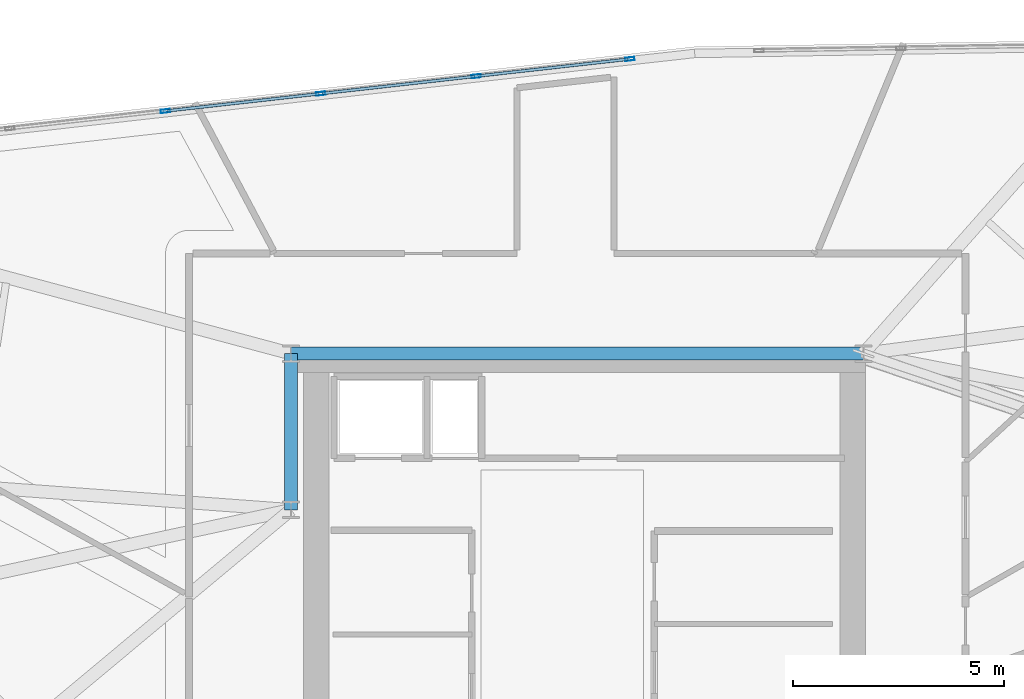
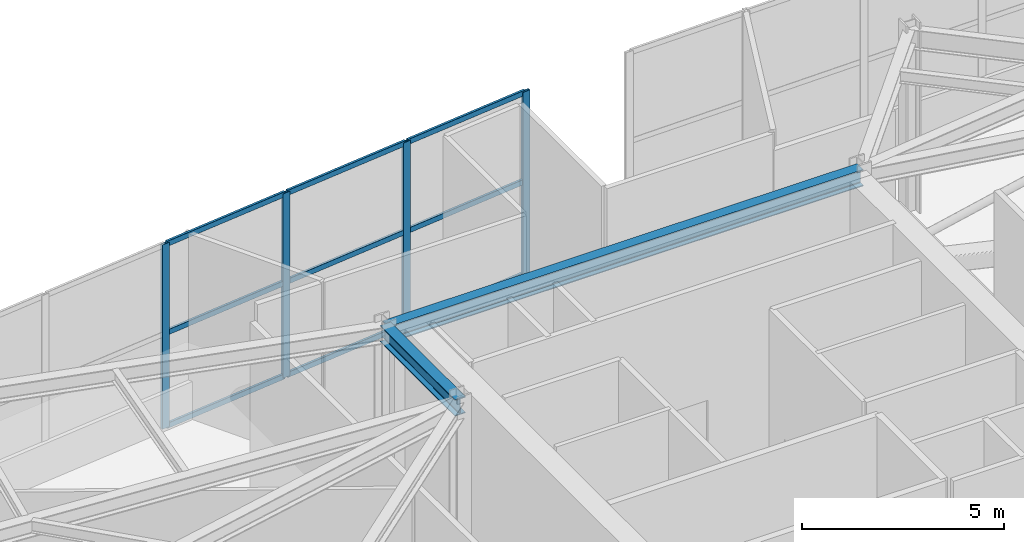
# One storey, part 3 of 15: 13 members, 2 beams, 1 element without a shape of its own.
"""IFC4 building model written with IfcOpenShell, lengths in metres."""

from ifc_helpers import new_model, si_unit, direction, frame, origin, origin_2d, place, context, subcontext, project, spatial, hollow_rectangle, i_section, extrude, material, material_profile, profile_set, type_object, element, aggregate, save


model = new_model("IFC4")

# Units and contexts
model_context = context("Model", 3, precision=1e-05, world=origin(), true_north=direction((0.0, 1.0)))
body_context = subcontext(model_context, "Body", "Model", "MODEL_VIEW")
ifc_project = project(units=[si_unit("LENGTHUNIT", "METRE"), si_unit("AREAUNIT", "SQUARE_METRE"), si_unit("VOLUMEUNIT", "CUBIC_METRE"), si_unit("PLANEANGLEUNIT", "RADIAN"), si_unit("MASSUNIT", "GRAM", prefix="KILO")], contexts=[model_context])

# Site, building, storey
site_placement = place(None, origin())
site = spatial("IfcSite", under=ifc_project, at=site_placement, CompositionType="ELEMENT")
building_placement = place(site_placement, origin())
building = spatial("IfcBuilding", under=site, at=building_placement, Name="Narakoshi Arena Tower", CompositionType="ELEMENT")
storey_placement = place(building_placement, frame((0.0, 0.0, 292.419921875)))
storey = spatial("IfcBuildingStorey", under=building, at=storey_placement, Name="L80", CompositionType="ELEMENT", Elevation=292.419921875)

# Beams
ifc_material_1 = material(Name="Structural steel S355J2", Category="steel")
ifc_material_profile_1 = material_profile(ifc_material_1, i_section(OverallWidth=0.300048828125, OverallDepth=0.5, WebThickness=0.014404296875, FlangeThickness=0.028076171875, FilletRadius=0.027099609375, at=origin_2d()), Name="HE500B")
ifc_profile_set_1 = profile_set([ifc_material_profile_1], Name="Structural steel S355J2")
beam_type = type_object("IfcBeamType", Name="BM-PRI-500", PredefinedType="BEAM", material=ifc_profile_set_1)
beam_1_placement = place(storey_placement, frame((72.0, 52.800048828125, 5.31005859375), z_axis=(0.0, 1.0, 0.0), x_axis=(-1.0, 0.0, 0.0)))
element("IfcBeam", 1, at=beam_1_placement, inside=storey, type_object=beam_type, Name="L80 Core Perimeter Frame Beam CC4-CC5", PredefinedType="BEAM", context=body_context, shape_type="SweptSolid", body=[
    extrude(i_section(OverallWidth=0.300048828125, OverallDepth=0.5, WebThickness=0.014404296875, FlangeThickness=0.028076171875, FilletRadius=0.027099609375, at=origin_2d()), origin(), (0.0, 0.0, 1.0), 3.699951171875),
])
beam_2_placement = place(storey_placement, frame((72.0, 56.5, 5.31005859375), z_axis=(1.0, 0.0, 0.0), x_axis=(0.0, 1.0, 0.0)))
element("IfcBeam", 2, at=beam_2_placement, inside=storey, type_object=beam_type, Name="L80 Core Perimeter Frame Beam CC5-CC6", PredefinedType="BEAM", context=body_context, shape_type="SweptSolid", body=[
    extrude(i_section(OverallWidth=0.300048828125, OverallDepth=0.5, WebThickness=0.014404296875, FlangeThickness=0.028076171875, FilletRadius=0.027099609375, at=origin_2d()), origin(), (0.0, 0.0, 1.0), 13.550048828125),
])

# Curtain wall, members
ifc_material_2 = material(Name="Clear low-iron laminated structural glass", Category="glass")
curtain_wall_type = type_object("IfcCurtainWallType", Name="CW-OBS-TMD", PredefinedType="NOTDEFINED", material=ifc_material_2)
curtain_wall_placement = place(storey_placement, origin())
curtain_wall = element("IfcCurtainWall", 3, at=curtain_wall_placement, inside=storey, type_object=curtain_wall_type, Name="L80 Folded Hypotenuse Curtain Wall 2-1", PredefinedType="NOTDEFINED")
ifc_material_3 = material(Name="Anodised bronze aluminium 6063-T6", Category="aluminium")
ifc_material_profile_2 = material_profile(ifc_material_3, hollow_rectangle(XDim=0.080078125, YDim=0.219970703125, WallThickness=0.0048828125, OuterFilletRadius=0.006103515625, at=origin_2d()), Name="MUL220x80x5")
ifc_profile_set_2 = profile_set([ifc_material_profile_2], Name="Anodised bronze aluminium 6063-T6")
member_type_1 = type_object("IfcMemberType", Name="MEM-MUL-220", PredefinedType="MULLION", material=ifc_profile_set_2)
member_1_placement = place(storey_placement, frame((80.021728515625, 63.471923828125, 0.0), z_axis=(0.0, 0.0, 1.0), x_axis=(0.111396800294, -0.9937760074, 0.0)))
member_1 = element("IfcMember", 4, at=member_1_placement, type_object=member_type_1, Name="CW-05 mullion 1", PredefinedType="MULLION", context=body_context, shape_type="SweptSolid", body=[
    extrude(hollow_rectangle(XDim=0.080078125, YDim=0.219970703125, WallThickness=0.0048828125, OuterFilletRadius=0.006103515625, at=origin_2d()), origin(), (0.0, 0.0, 1.0), 5.56005859375),
])
member_2_placement = place(storey_placement, frame((76.383544921875, 63.064208984375, 0.0), z_axis=(0.0, 0.0, 1.0), x_axis=(0.111396800294, -0.9937760074, 0.0)))
member_2 = element("IfcMember", 5, at=member_2_placement, type_object=member_type_1, Name="CW-05 mullion 2", PredefinedType="MULLION", context=body_context, shape_type="SweptSolid", body=[
    extrude(hollow_rectangle(XDim=0.080078125, YDim=0.219970703125, WallThickness=0.0048828125, OuterFilletRadius=0.006103515625, at=origin_2d()), origin(), (0.0, 0.0, 1.0), 5.56005859375),
])
member_3_placement = place(storey_placement, frame((72.705810546875, 62.65185546875, 0.0), z_axis=(0.0, 0.0, 1.0), x_axis=(0.111396800294, -0.9937760074, 0.0)))
member_3 = element("IfcMember", 6, at=member_3_placement, type_object=member_type_1, Name="CW-05 mullion 3", PredefinedType="MULLION", context=body_context, shape_type="SweptSolid", body=[
    extrude(hollow_rectangle(XDim=0.080078125, YDim=0.219970703125, WallThickness=0.0048828125, OuterFilletRadius=0.006103515625, at=origin_2d()), origin(), (0.0, 0.0, 1.0), 5.56005859375),
])
member_4_placement = place(storey_placement, frame((69.02783203125, 62.23974609375, 0.0), z_axis=(0.0, 0.0, 1.0), x_axis=(0.111396800294, -0.9937760074, 0.0)))
member_4 = element("IfcMember", 7, at=member_4_placement, type_object=member_type_1, Name="CW-05 mullion 4", PredefinedType="MULLION", context=body_context, shape_type="SweptSolid", body=[
    extrude(hollow_rectangle(XDim=0.080078125, YDim=0.219970703125, WallThickness=0.0048828125, OuterFilletRadius=0.006103515625, at=origin_2d()), origin(), (0.0, 0.0, 1.0), 5.56005859375),
])
ifc_material_profile_3 = material_profile(ifc_material_3, hollow_rectangle(XDim=0.070068359375, YDim=0.159912109375, WallThickness=0.00390625, OuterFilletRadius=0.0048828125, at=origin_2d()), Name="TRN160x70x4")
ifc_profile_set_3 = profile_set([ifc_material_profile_3], Name="Anodised bronze aluminium 6063-T6")
member_type_2 = type_object("IfcMemberType", Name="MEM-TRN-160", PredefinedType="USERDEFINED", material=ifc_profile_set_3)
member_5_placement = place(storey_placement, frame((79.98193359375, 63.467529296875, 0.03515625), z_axis=(-0.993775170147, -0.111404269211, 0.0), x_axis=(0.111404269211, -0.993775170147, 0.0)))
member_5 = element("IfcMember", 8, at=member_5_placement, type_object=member_type_2, Name="CW-05 transom 1.1", ObjectType="TRANSOM", PredefinedType="USERDEFINED", context=body_context, shape_type="SweptSolid", body=[
    extrude(hollow_rectangle(XDim=0.070068359375, YDim=0.159912109375, WallThickness=0.00390625, OuterFilletRadius=0.0048828125, at=origin_2d()), origin(), (0.0, 0.0, 1.0), 3.580810546875),
])
member_6_placement = place(storey_placement, frame((79.98193359375, 63.467529296875, 2.85009765625), z_axis=(-0.993775170147, -0.111404269211, 0.0), x_axis=(0.111404269211, -0.993775170147, 0.0)))
member_6 = element("IfcMember", 9, at=member_6_placement, type_object=member_type_2, Name="CW-05 transom 1.2", ObjectType="TRANSOM", PredefinedType="USERDEFINED", context=body_context, shape_type="SweptSolid", body=[
    extrude(hollow_rectangle(XDim=0.070068359375, YDim=0.159912109375, WallThickness=0.00390625, OuterFilletRadius=0.0048828125, at=origin_2d()), origin(), (0.0, 0.0, 1.0), 3.580810546875),
])
member_7_placement = place(storey_placement, frame((79.98193359375, 63.467529296875, 5.525146484375), z_axis=(-0.993775170147, -0.111404269211, 0.0), x_axis=(0.111404269211, -0.993775170147, 0.0)))
member_7 = element("IfcMember", 10, at=member_7_placement, type_object=member_type_2, Name="CW-05 transom 1.3", ObjectType="TRANSOM", PredefinedType="USERDEFINED", context=body_context, shape_type="SweptSolid", body=[
    extrude(hollow_rectangle(XDim=0.070068359375, YDim=0.159912109375, WallThickness=0.00390625, OuterFilletRadius=0.0048828125, at=origin_2d()), origin(), (0.0, 0.0, 1.0), 3.580810546875),
])
member_8_placement = place(storey_placement, frame((76.343994140625, 63.059814453125, 0.03515625), z_axis=(-0.993777205151, -0.111386114588, 0.0), x_axis=(0.111386114588, -0.993777205151, 0.0)))
member_8 = element("IfcMember", 11, at=member_8_placement, type_object=member_type_2, Name="CW-05 transom 2.1", ObjectType="TRANSOM", PredefinedType="USERDEFINED", context=body_context, shape_type="SweptSolid", body=[
    extrude(hollow_rectangle(XDim=0.070068359375, YDim=0.159912109375, WallThickness=0.00390625, OuterFilletRadius=0.0048828125, at=origin_2d()), origin(), (0.0, 0.0, 1.0), 3.620849609375),
])
member_9_placement = place(storey_placement, frame((76.343994140625, 63.059814453125, 2.85009765625), z_axis=(-0.993777205151, -0.111386114588, 0.0), x_axis=(0.111386114588, -0.993777205151, 0.0)))
member_9 = element("IfcMember", 12, at=member_9_placement, type_object=member_type_2, Name="CW-05 transom 2.2", ObjectType="TRANSOM", PredefinedType="USERDEFINED", context=body_context, shape_type="SweptSolid", body=[
    extrude(hollow_rectangle(XDim=0.070068359375, YDim=0.159912109375, WallThickness=0.00390625, OuterFilletRadius=0.0048828125, at=origin_2d()), origin(), (0.0, 0.0, 1.0), 3.620849609375),
])
member_10_placement = place(storey_placement, frame((76.343994140625, 63.059814453125, 5.525146484375), z_axis=(-0.993777205151, -0.111386114588, 0.0), x_axis=(0.111386114588, -0.993777205151, 0.0)))
member_10 = element("IfcMember", 13, at=member_10_placement, type_object=member_type_2, Name="CW-05 transom 2.3", ObjectType="TRANSOM", PredefinedType="USERDEFINED", context=body_context, shape_type="SweptSolid", body=[
    extrude(hollow_rectangle(XDim=0.070068359375, YDim=0.159912109375, WallThickness=0.00390625, OuterFilletRadius=0.0048828125, at=origin_2d()), origin(), (0.0, 0.0, 1.0), 3.620849609375),
])
member_11_placement = place(storey_placement, frame((72.666015625, 62.6474609375, 0.03515625), z_axis=(-0.993777205151, -0.111386114588, 0.0), x_axis=(0.111386114588, -0.993777205151, 0.0)))
member_11 = element("IfcMember", 14, at=member_11_placement, type_object=member_type_2, Name="CW-05 transom 3.1", ObjectType="TRANSOM", PredefinedType="USERDEFINED", context=body_context, shape_type="SweptSolid", body=[
    extrude(hollow_rectangle(XDim=0.070068359375, YDim=0.159912109375, WallThickness=0.00390625, OuterFilletRadius=0.0048828125, at=origin_2d()), origin(), (0.0, 0.0, 1.0), 3.620849609375),
])
member_12_placement = place(storey_placement, frame((72.666015625, 62.6474609375, 2.85009765625), z_axis=(-0.993777205151, -0.111386114588, 0.0), x_axis=(0.111386114588, -0.993777205151, 0.0)))
member_12 = element("IfcMember", 15, at=member_12_placement, type_object=member_type_2, Name="CW-05 transom 3.2", ObjectType="TRANSOM", PredefinedType="USERDEFINED", context=body_context, shape_type="SweptSolid", body=[
    extrude(hollow_rectangle(XDim=0.070068359375, YDim=0.159912109375, WallThickness=0.00390625, OuterFilletRadius=0.0048828125, at=origin_2d()), origin(), (0.0, 0.0, 1.0), 3.620849609375),
])
member_13_placement = place(storey_placement, frame((72.666015625, 62.6474609375, 5.525146484375), z_axis=(-0.993777205151, -0.111386114588, 0.0), x_axis=(0.111386114588, -0.993777205151, 0.0)))
member_13 = element("IfcMember", 16, at=member_13_placement, type_object=member_type_2, Name="CW-05 transom 3.3", ObjectType="TRANSOM", PredefinedType="USERDEFINED", context=body_context, shape_type="SweptSolid", body=[
    extrude(hollow_rectangle(XDim=0.070068359375, YDim=0.159912109375, WallThickness=0.00390625, OuterFilletRadius=0.0048828125, at=origin_2d()), origin(), (0.0, 0.0, 1.0), 3.620849609375),
])
aggregate(curtain_wall, [member_1, member_2, member_3, member_4, member_5, member_6, member_7, member_8, member_9, member_10, member_11, member_12, member_13])

save(model, "model.ifc")
